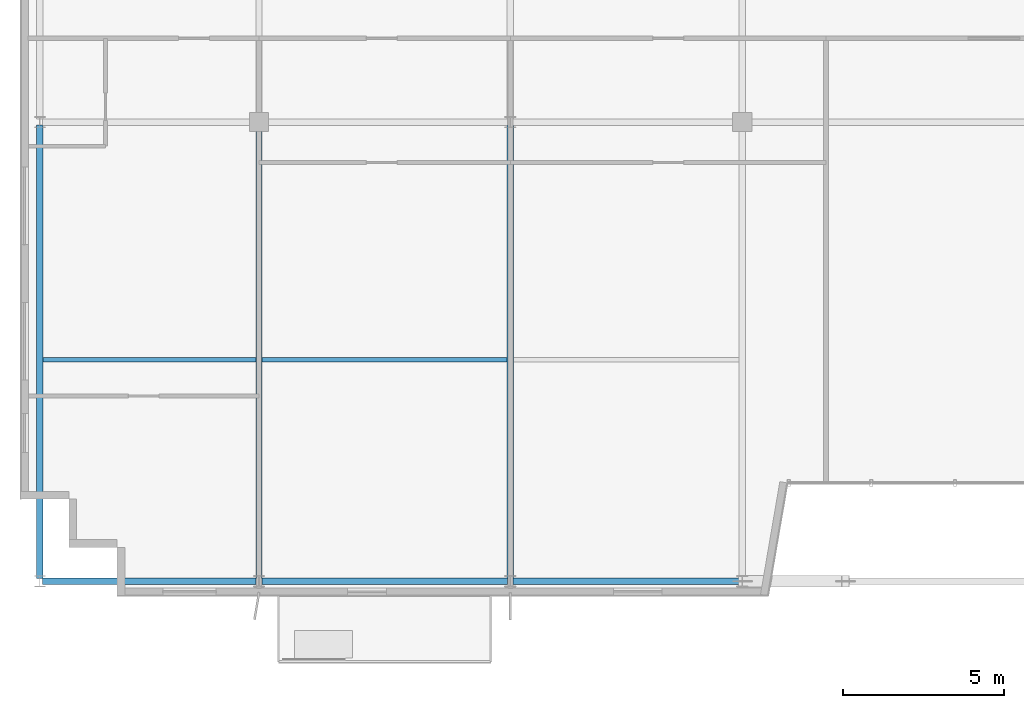
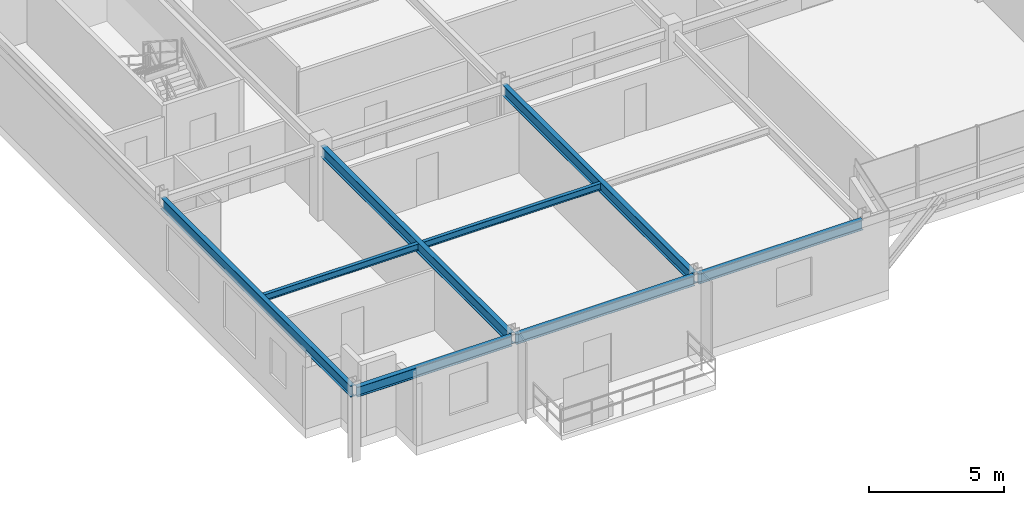
# One storey, part 5 of 28: 8 beams.
"""IFC4 building model written with IfcOpenShell, lengths in metres."""

from ifc_helpers import new_model, si_unit, direction, frame, origin, origin_2d, place, context, subcontext, project, spatial, i_section, extrude, source, transform, mapped, material, material_profile, profile_set, type_object, element, save


model = new_model("IFC4")

# Units and contexts
model_context = context("Model", 3, precision=1e-05, world=origin(), true_north=direction((0.0, 1.0)))
body_context = subcontext(model_context, "Body", "Model", "MODEL_VIEW")
ifc_project = project(units=[si_unit("LENGTHUNIT", "METRE"), si_unit("AREAUNIT", "SQUARE_METRE"), si_unit("VOLUMEUNIT", "CUBIC_METRE"), si_unit("PLANEANGLEUNIT", "RADIAN"), si_unit("MASSUNIT", "GRAM", prefix="KILO")], contexts=[model_context])

# Site, building, storey
site_placement = place(None, origin())
site = spatial("IfcSite", under=ifc_project, at=site_placement, CompositionType="ELEMENT")
building_placement = place(site_placement, origin())
building = spatial("IfcBuilding", under=site, at=building_placement, Name="Trelvane Seafront Commons", CompositionType="ELEMENT")
storey_placement = place(building_placement, frame((0.0, 0.0, 295.5)))
storey = spatial("IfcBuildingStorey", under=building, at=storey_placement, Name="L77", CompositionType="ELEMENT", Elevation=295.5)

# Beams
ifc_material = material(Name="Steel SM355 (S355)", Category="steel")
ifc_material_profile_1 = material_profile(ifc_material, i_section(OverallWidth=0.199951171875, OverallDepth=0.449951171875, WebThickness=0.009033203125, FlangeThickness=0.013916015625, at=origin_2d()), Name="H-450x200x9x14")
ifc_profile_set_1 = profile_set([ifc_material_profile_1], Name="Steel SM355 (S355)")
beam_type_1 = type_object("IfcBeamType", Name="STR-SPD-H450", PredefinedType="SPANDREL", material=ifc_profile_set_1)
shared_shape_1 = source(origin(), body_context, "Body", "SweptSolid", [
    extrude(i_section(OverallWidth=0.199951171875, OverallDepth=0.449951171875, WebThickness=0.009033203125, FlangeThickness=0.013916015625, at=origin_2d()), origin(), (0.0, 0.0, 1.0), 6.625),
])
beam_1_placement = place(storey_placement, frame((8.887451171875, 3.949951171875, 3.034912109375), z_axis=(1.0, 0.0, 0.0), x_axis=(0.0, 1.0, 0.0)))
element("IfcBeam", 1, at=beam_1_placement, inside=storey, type_object=beam_type_1, Name="L77 Primary Girder G-01", PredefinedType="SPANDREL", context=body_context, shape_type="MappedRepresentation", body=[
    mapped(shared_shape_1, transform((0.0, 0.0, 0.0), x_axis=(1.0, 0.0, 0.0), y_axis=(0.0, 1.0, 0.0), z_axis=(0.0, 0.0, 1.0), scale=1.0)),
])
shared_shape_2 = source(origin(), body_context, "Body", "SweptSolid", [
    extrude(i_section(OverallWidth=0.199951171875, OverallDepth=0.449951171875, WebThickness=0.009033203125, FlangeThickness=0.013916015625, at=origin_2d()), origin(), (0.0, 0.0, 1.0), 7.625),
])
beam_2_placement = place(storey_placement, frame((15.6875, 3.949951171875, 3.034912109375), z_axis=(1.0, 0.0, 0.0), x_axis=(0.0, 1.0, 0.0)))
element("IfcBeam", 2, at=beam_2_placement, inside=storey, type_object=beam_type_1, Name="L77 Primary Girder G-02", PredefinedType="SPANDREL", context=body_context, shape_type="MappedRepresentation", body=[
    mapped(shared_shape_2, transform((0.0, 0.0, 0.0), x_axis=(1.0, 0.0, 0.0), y_axis=(0.0, 1.0, 0.0), z_axis=(0.0, 0.0, 1.0), scale=1.0)),
])
shared_shape_3 = source(origin(), body_context, "Body", "SweptSolid", [
    extrude(i_section(OverallWidth=0.199951171875, OverallDepth=0.449951171875, WebThickness=0.009033203125, FlangeThickness=0.013916015625, at=origin_2d()), origin(), (0.0, 0.0, 1.0), 7.02490234375),
])
beam_3_placement = place(storey_placement, frame((23.487548828125, 3.949951171875, 3.034912109375), z_axis=(1.0, 0.0, 0.0), x_axis=(0.0, 1.0, 0.0)))
element("IfcBeam", 3, at=beam_3_placement, inside=storey, type_object=beam_type_1, Name="L77 Primary Girder G-03", PredefinedType="SPANDREL", context=body_context, shape_type="MappedRepresentation", body=[
    mapped(shared_shape_3, transform((0.0, 0.0, 0.0), x_axis=(1.0, 0.0, 0.0), y_axis=(0.0, 1.0, 0.0), z_axis=(0.0, 0.0, 1.0), scale=1.0)),
])
ifc_material_profile_2 = material_profile(ifc_material, i_section(OverallWidth=0.199951171875, OverallDepth=0.5, WebThickness=0.010009765625, FlangeThickness=0.01611328125, at=origin_2d()), Name="H-500x200x10x16")
ifc_profile_set_2 = profile_set([ifc_material_profile_2], Name="Steel SM355 (S355)")
beam_type_2 = type_object("IfcBeamType", Name="STR-BM-H500", PredefinedType="BEAM", material=ifc_profile_set_2)
shared_shape_4 = source(origin(), body_context, "Body", "SweptSolid", [
    extrude(i_section(OverallWidth=0.199951171875, OverallDepth=0.5, WebThickness=0.010009765625, FlangeThickness=0.01611328125, at=origin_2d()), origin(), (0.0, 0.0, 1.0), 14.074951171875),
])
for number, where, z_axis, x_axis, name in (
    (4, (8.800048828125, 4.03759765625, 3.010009765625), (0.0, 1.0, 0.0), (-1.0, 0.0, 0.0), "L77 Primary Girder G-29"),
    (5, (23.39990234375, 4.03759765625, 3.010009765625), (0.0, 1.0, 0.0), (-1.0, 0.0, 0.0), "L77 Primary Girder G-35"),
):
    element("IfcBeam", number, at=place(storey_placement, frame(where, z_axis=z_axis, x_axis=x_axis)), inside=storey, type_object=beam_type_2, Name=name, PredefinedType="BEAM", context=body_context, shape_type="MappedRepresentation", body=[
        mapped(shared_shape_4, transform((0.0, 0.0, 0.0), x_axis=(1.0, 0.0, 0.0), y_axis=(0.0, 1.0, 0.0), z_axis=(0.0, 0.0, 1.0), scale=1.0)),
    ])
shared_shape_5 = source(origin(), body_context, "Body", "SweptSolid", [
    extrude(i_section(OverallWidth=0.199951171875, OverallDepth=0.5, WebThickness=0.010009765625, FlangeThickness=0.01611328125, at=origin_2d()), origin(), (0.0, 0.0, 1.0), 14.012451171875),
])
beam_4_placement = place(storey_placement, frame((15.60009765625, 4.03759765625, 3.010009765625), z_axis=(0.0, 1.0, 0.0), x_axis=(-1.0, 0.0, 0.0)))
element("IfcBeam", 6, at=beam_4_placement, inside=storey, type_object=beam_type_2, Name="L77 Primary Girder G-32", PredefinedType="BEAM", context=body_context, shape_type="MappedRepresentation", body=[
    mapped(shared_shape_5, transform((0.0, 0.0, 0.0), x_axis=(1.0, 0.0, 0.0), y_axis=(0.0, 1.0, 0.0), z_axis=(0.0, 0.0, 1.0), scale=1.0)),
])
ifc_material_profile_3 = material_profile(ifc_material, i_section(OverallWidth=0.14990234375, OverallDepth=0.300048828125, WebThickness=0.006591796875, FlangeThickness=0.009033203125, at=origin_2d()), Name="H-300x150x6.5x9")
ifc_profile_set_3 = profile_set([ifc_material_profile_3], Name="Steel SM355 (S355)")
beam_type_3 = type_object("IfcBeamType", Name="STR-JST-H300", PredefinedType="JOIST", material=ifc_profile_set_3)
shared_shape_6 = source(origin(), body_context, "Body", "SweptSolid", [
    extrude(i_section(OverallWidth=0.14990234375, OverallDepth=0.300048828125, WebThickness=0.006591796875, FlangeThickness=0.009033203125, at=origin_2d()), origin(), (0.0, 0.0, 1.0), 6.60009765625),
])
beam_5_placement = place(storey_placement, frame((8.89990234375, 10.824951171875, 3.110107421875), z_axis=(1.0, 0.0, 0.0), x_axis=(0.0, 1.0, 0.0)))
element("IfcBeam", 7, at=beam_5_placement, inside=storey, type_object=beam_type_3, Name="L77 Secondary Floor Joist B-53", PredefinedType="JOIST", context=body_context, shape_type="MappedRepresentation", body=[
    mapped(shared_shape_6, transform((0.0, 0.0, 0.0), x_axis=(1.0, 0.0, 0.0), y_axis=(0.0, 1.0, 0.0), z_axis=(0.0, 0.0, 1.0), scale=1.0)),
])
shared_shape_7 = source(origin(), body_context, "Body", "SweptSolid", [
    extrude(i_section(OverallWidth=0.14990234375, OverallDepth=0.300048828125, WebThickness=0.006591796875, FlangeThickness=0.009033203125, at=origin_2d()), origin(), (0.0, 0.0, 1.0), 7.60009765625),
])
beam_6_placement = place(storey_placement, frame((15.699951171875, 10.824951171875, 3.110107421875), z_axis=(1.0, 0.0, 0.0), x_axis=(0.0, 1.0, 0.0)))
element("IfcBeam", 8, at=beam_6_placement, inside=storey, type_object=beam_type_3, Name="L77 Secondary Floor Joist B-54", PredefinedType="JOIST", context=body_context, shape_type="MappedRepresentation", body=[
    mapped(shared_shape_7, transform((0.0, 0.0, 0.0), x_axis=(1.0, 0.0, 0.0), y_axis=(0.0, 1.0, 0.0), z_axis=(0.0, 0.0, 1.0), scale=1.0)),
])

save(model, "model.ifc")
